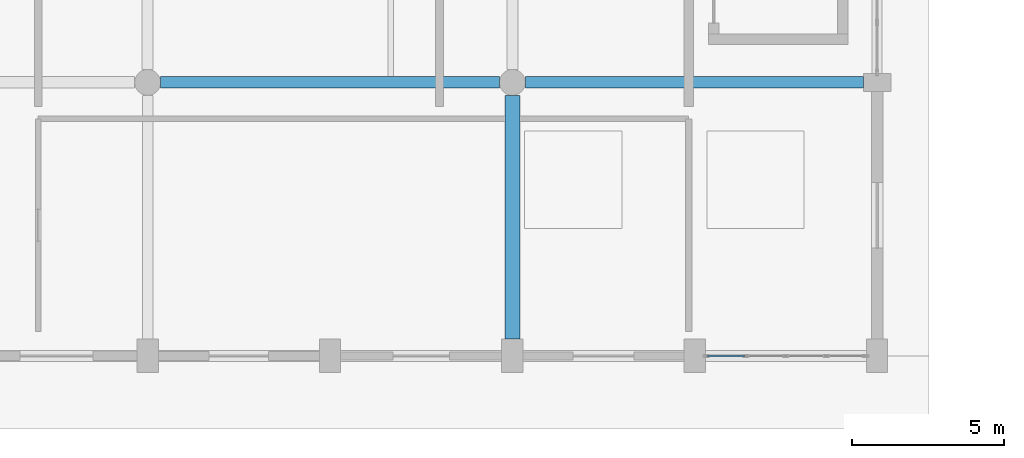
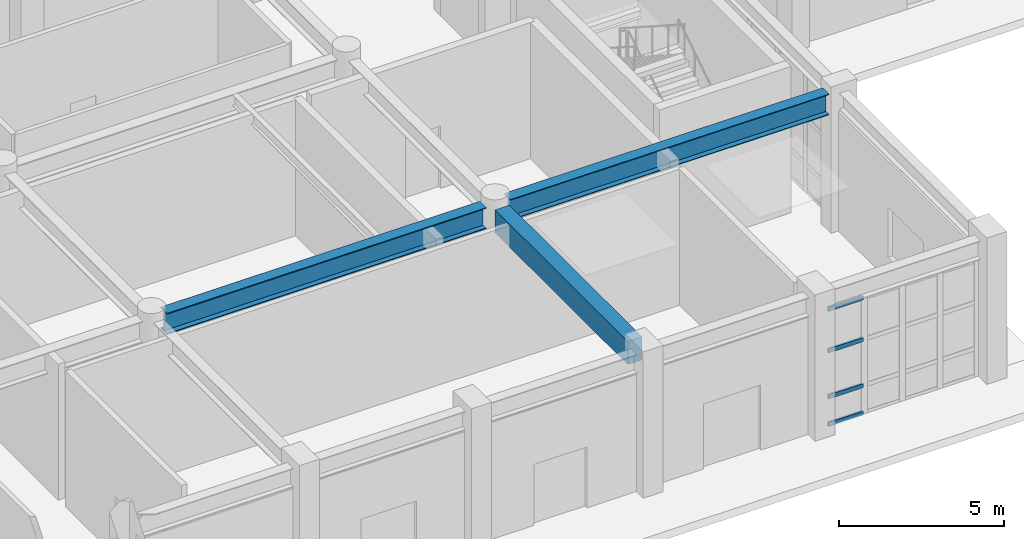
# One storey, part 19 of 91: 4 members, 3 beams, 1 element without a shape of its own.
"""IFC4 building model written with IfcOpenShell, lengths in metres."""

from ifc_helpers import new_model, si_unit, direction, frame, origin, origin_2d, place, context, subcontext, project, spatial, rectangle, hollow_rectangle, i_section, extrude, material, layer, layer_set, material_profile, profile_set, type_object, element, aggregate, save


model = new_model("IFC4")

# Units and contexts
model_context = context("Model", 3, precision=1e-05, world=origin(), true_north=direction((0.0, 1.0)))
body_context = subcontext(model_context, "Body", "Model", "MODEL_VIEW")
ifc_project = project(units=[si_unit("LENGTHUNIT", "METRE"), si_unit("AREAUNIT", "SQUARE_METRE"), si_unit("VOLUMEUNIT", "CUBIC_METRE"), si_unit("PLANEANGLEUNIT", "RADIAN"), si_unit("MASSUNIT", "GRAM", prefix="KILO")], contexts=[model_context])

# Site, building, storey
site_placement = place(None, origin())
site = spatial("IfcSite", under=ifc_project, at=site_placement, CompositionType="ELEMENT")
building_placement = place(site_placement, origin())
building = spatial("IfcBuilding", under=site, at=building_placement, Name="Vaelkrest Opera House", CompositionType="ELEMENT")
storey_placement = place(building_placement, origin())
storey = spatial("IfcBuildingStorey", under=building, at=storey_placement, Name="L00", CompositionType="ELEMENT", Elevation=0.0)

# Beams
ifc_material_1 = material(Name="Concrete C50/60", Category="concrete")
ifc_material_profile_1 = material_profile(ifc_material_1, rectangle(XDim=0.5, YDim=0.85009765625, at=origin_2d()), Name="RCB500X850")
ifc_profile_set_1 = profile_set([ifc_material_profile_1], Name="Concrete C50/60")
beam_type_1 = type_object("IfcBeamType", Name="B03", PredefinedType="BEAM", material=ifc_profile_set_1)
beam_1_placement = place(storey_placement, frame((18.0, -55.25, 4.655029296875), z_axis=(0.0, 1.0, 0.0), x_axis=(-1.0, 0.0, 0.0)))
element("IfcBeam", 1, at=beam_1_placement, inside=storey, type_object=beam_type_1, Name="Beam BM-V1-L00-0168", PredefinedType="BEAM", context=body_context, shape_type="SweptSolid", body=[
    extrude(rectangle(XDim=0.5, YDim=0.85009765625, at=origin_2d()), origin(), (0.0, 0.0, 1.0), 8.02490234375),
])
ifc_material_2 = material(Name="Steel A992 Gr50", Category="steel")
ifc_material_profile_2 = material_profile(ifc_material_2, i_section(OverallWidth=0.381103515625, OverallDepth=0.77294921875, WebThickness=0.0166015625, FlangeThickness=0.027099609375, at=origin_2d()), Name="W30X173")
ifc_profile_set_2 = profile_set([ifc_material_profile_2], Name="Steel A992 Gr50")
beam_type_2 = type_object("IfcBeamType", Name="B11", PredefinedType="BEAM", material=ifc_profile_set_2)
beam_2_placement = place(storey_placement, frame((18.425048828125, -46.800048828125, 4.693603515625), z_axis=(1.0, 0.0, 0.0), x_axis=(0.0, 1.0, 0.0)))
element("IfcBeam", 2, at=beam_2_placement, inside=storey, type_object=beam_type_2, Name="Beam BM-V1-L00-0099", PredefinedType="BEAM", context=body_context, shape_type="SweptSolid", body=[
    extrude(i_section(OverallWidth=0.381103515625, OverallDepth=0.77294921875, WebThickness=0.0166015625, FlangeThickness=0.027099609375, at=origin_2d()), origin(), (0.0, 0.0, 1.0), 11.125),
])
ifc_material_profile_3 = material_profile(ifc_material_2, i_section(OverallWidth=0.384033203125, OverallDepth=0.785888671875, WebThickness=0.019775390625, FlangeThickness=0.033447265625, at=origin_2d()), Name="W30X211")
ifc_profile_set_3 = profile_set([ifc_material_profile_3], Name="Steel A992 Gr50")
beam_type_3 = type_object("IfcBeamType", Name="B16", PredefinedType="BEAM", material=ifc_profile_set_3)
beam_3_placement = place(storey_placement, frame((6.425048828125, -46.800048828125, 4.68701171875), z_axis=(1.0, 0.0, 0.0), x_axis=(0.0, 1.0, 0.0)))
element("IfcBeam", 3, at=beam_3_placement, inside=storey, type_object=beam_type_3, Name="Beam BM-V1-L00-0098", PredefinedType="BEAM", context=body_context, shape_type="SweptSolid", body=[
    extrude(i_section(OverallWidth=0.384033203125, OverallDepth=0.785888671875, WebThickness=0.019775390625, FlangeThickness=0.033447265625, at=origin_2d()), origin(), (0.0, 0.0, 1.0), 11.14990234375),
])

# Curtain wall, members
ifc_material_3 = material(Name="Dark bronze anodized aluminium", Category="aluminium")
ifc_layer = layer(ifc_material_3, 0.18994140625)
ifc_layer_set = layer_set([ifc_layer], Name="Dark bronze anodized aluminium")
curtain_wall_type = type_object("IfcCurtainWallType", Name="CW02", PredefinedType="NOTDEFINED", material=ifc_layer_set)
curtain_wall_placement = place(storey_placement, origin())
curtain_wall = element("IfcCurtainWall", 4, at=curtain_wall_placement, inside=storey, type_object=curtain_wall_type, Name="Curtain wall CW-L00-011", PredefinedType="NOTDEFINED")
ifc_material_profile_4 = material_profile(ifc_material_3, hollow_rectangle(XDim=0.070068359375, YDim=0.14990234375, WallThickness=0.004150390625, at=origin_2d()), Name="CWT70X150")
ifc_profile_set_4 = profile_set([ifc_material_profile_4], Name="Dark bronze anodized aluminium")
member_type = type_object("IfcMemberType", Name="CWT02", PredefinedType="USERDEFINED", material=ifc_profile_set_4)
member_1_placement = place(storey_placement, frame((25.638916015625, -55.800048828125, 0.034912109375), z_axis=(-1.0, 0.0, 0.0), x_axis=(0.0, -1.0, 0.0)))
member_1 = element("IfcMember", 5, at=member_1_placement, type_object=member_type, Name="CW02 transom 4.1", ObjectType="TRANSOM", PredefinedType="USERDEFINED", context=body_context, shape_type="SweptSolid", body=[
    extrude(hollow_rectangle(XDim=0.070068359375, YDim=0.14990234375, WallThickness=0.004150390625, at=origin_2d()), origin(), (0.0, 0.0, 1.0), 1.220947265625),
])
member_2_placement = place(storey_placement, frame((25.638916015625, -55.800048828125, 1.050048828125), z_axis=(-1.0, 0.0, 0.0), x_axis=(0.0, -1.0, 0.0)))
member_2 = element("IfcMember", 6, at=member_2_placement, type_object=member_type, Name="CW02 transom 4.2", ObjectType="TRANSOM", PredefinedType="USERDEFINED", context=body_context, shape_type="SweptSolid", body=[
    extrude(hollow_rectangle(XDim=0.070068359375, YDim=0.14990234375, WallThickness=0.004150390625, at=origin_2d()), origin(), (0.0, 0.0, 1.0), 1.220947265625),
])
member_3_placement = place(storey_placement, frame((25.638916015625, -55.800048828125, 2.75), z_axis=(-1.0, 0.0, 0.0), x_axis=(0.0, -1.0, 0.0)))
member_3 = element("IfcMember", 7, at=member_3_placement, type_object=member_type, Name="CW02 transom 4.3", ObjectType="TRANSOM", PredefinedType="USERDEFINED", context=body_context, shape_type="SweptSolid", body=[
    extrude(hollow_rectangle(XDim=0.070068359375, YDim=0.14990234375, WallThickness=0.004150390625, at=origin_2d()), origin(), (0.0, 0.0, 1.0), 1.220947265625),
])
member_4_placement = place(storey_placement, frame((25.638916015625, -55.800048828125, 4.284912109375), z_axis=(-1.0, 0.0, 0.0), x_axis=(0.0, -1.0, 0.0)))
member_4 = element("IfcMember", 8, at=member_4_placement, type_object=member_type, Name="CW02 transom 4.4", ObjectType="TRANSOM", PredefinedType="USERDEFINED", context=body_context, shape_type="SweptSolid", body=[
    extrude(hollow_rectangle(XDim=0.070068359375, YDim=0.14990234375, WallThickness=0.004150390625, at=origin_2d()), origin(), (0.0, 0.0, 1.0), 1.220947265625),
])
aggregate(curtain_wall, [member_1, member_2, member_3, member_4])

save(model, "model.ifc")
